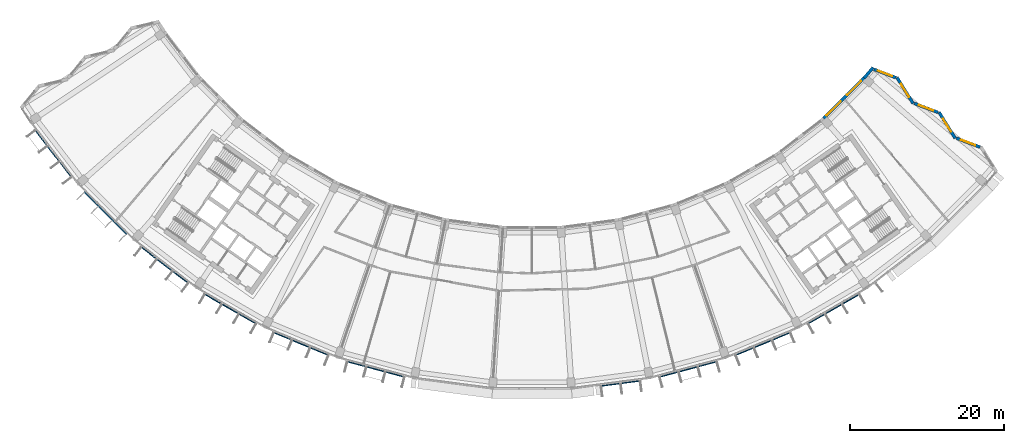
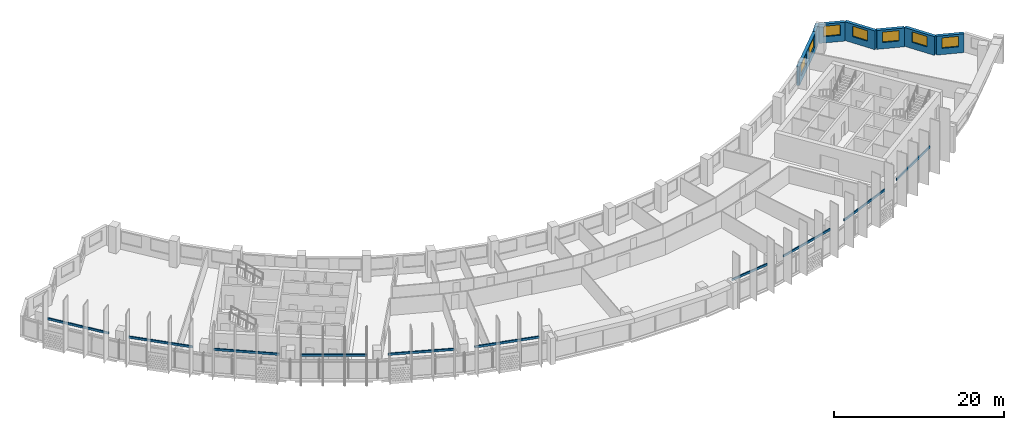
# One storey, part 8 of 28: 10 discrete accessories, 7 walls, 7 windows, 7 openings.
"""IFC4 building model written with IfcOpenShell, lengths in metres."""

from ifc_helpers import new_model, si_unit, direction, frame, frame_2d, origin, origin_2d, place, context, subcontext, project, spatial, rectangle, extrude, material, layer, layer_set, type_object, element, fill, save


model = new_model("IFC4")

# Units and contexts
model_context = context("Model", 3, precision=1e-05, world=origin(), true_north=direction((0.0, 1.0)))
body_context = subcontext(model_context, "Body", "Model", "MODEL_VIEW")
ifc_project = project(units=[si_unit("LENGTHUNIT", "METRE"), si_unit("AREAUNIT", "SQUARE_METRE"), si_unit("VOLUMEUNIT", "CUBIC_METRE"), si_unit("PLANEANGLEUNIT", "RADIAN"), si_unit("MASSUNIT", "GRAM", prefix="KILO")], contexts=[model_context])

# Site, building, storey
site_placement = place(None, origin())
site = spatial("IfcSite", under=ifc_project, at=site_placement, CompositionType="ELEMENT")
building_placement = place(site_placement, origin())
building = spatial("IfcBuilding", under=site, at=building_placement, Name="Qamariyya Broadcast Tower", CompositionType="ELEMENT")
storey_placement = place(building_placement, frame((0.0, 0.0, 218.89990234375)))
storey = spatial("IfcBuildingStorey", under=building, at=storey_placement, Name="L52", CompositionType="ELEMENT", Elevation=218.89990234375)

# Wall, opening, window
ifc_material_1 = material(Name="Terracotta", Category="masonry")
ifc_layer = layer(ifc_material_1, 0.39990234375)
ifc_layer_set = layer_set([ifc_layer], Name="Terracotta clad wall 400")
wall_type = type_object("IfcWallType", Name="Terracotta clad wall 400", PredefinedType="SOLIDWALL", material=ifc_layer_set)
wall_1_placement = place(storey_placement, frame((58.33203125, -46.968994140625, 0.0), z_axis=(0.0, 0.0, 1.0), x_axis=(-0.934682990886, 0.355482357577, 0.0)))
wall_1 = element("IfcWall", 1, at=wall_1_placement, inside=storey, type_object=wall_type, Name="e-wl-L52-capE1", PredefinedType="SOLIDWALL", context=body_context, shape_type="SweptSolid", body=[
    extrude(rectangle(XDim=3.305419921875, YDim=0.39990234375, at=frame_2d((1.65283203125, 0.0))), origin(), (0.0, 0.0, 1.0), 2.7001953125),
])
opening_1_placement = place(wall_1_placement, frame((0.652587890625, 0.0, 0.89990234375)))
opening_1 = element("IfcOpeningElement", 2, at=opening_1_placement, cuts=wall_1, Name="Opening W4", PredefinedType="OPENING", context=body_context, shape_type="SweptSolid", body=[
    extrude(rectangle(XDim=2.0, YDim=1.5, at=frame_2d((1.0, 0.75))), frame((0.0, 0.2099609375, 0.0), z_axis=(0.0, -1.0, 0.0), x_axis=(1.0, 0.0, 0.0)), (0.0, 0.0, 1.0), 0.419921875),
])
ifc_material_2 = material(Name="Clear low-e double glazed unit in aluminium frame", Category="aluminium")
window_type_1 = type_object("IfcWindowType", Name="Horn bay window 2000 x 1500", PartitioningType="SINGLE_PANEL", PredefinedType="WINDOW", material=ifc_material_2)
window_1_placement = place(opening_1_placement, origin())
window_1 = element("IfcWindow", 3, at=window_1_placement, inside=storey, type_object=window_type_1, Name="e-w-L52-capE1", OverallHeight=1.5, OverallWidth=2.0, PartitioningType="SINGLE_PANEL", PredefinedType="WINDOW", context=body_context, shape_type="SweptSolid", body=[
    extrude(rectangle(XDim=2.0, YDim=1.5, at=frame_2d((1.0, 0.75))), frame((0.0, 0.030029296875, 0.0), z_axis=(0.0, -1.0, 0.0), x_axis=(1.0, 0.0, 0.0)), (0.0, 0.0, 1.0), 0.06005859375),
])
fill(opening_1, window_1)

wall_2_placement = place(storey_placement, frame((55.103515625, -45.819091796875, 0.0), z_axis=(0.0, 0.0, 1.0), x_axis=(-0.527432793352, 0.849596756406, 0.0)))
wall_2 = element("IfcWall", 4, at=wall_2_placement, inside=storey, type_object=wall_type, Name="e-wl-L52-capE2", PredefinedType="SOLIDWALL", context=body_context, shape_type="SweptSolid", body=[
    extrude(rectangle(XDim=3.99755859375, YDim=0.39990234375, at=frame_2d((1.998779296875, 0.0))), origin(), (0.0, 0.0, 1.0), 2.7001953125),
])
opening_2_placement = place(wall_2_placement, frame((0.998779296875, 0.0, 0.89990234375)))
opening_2 = element("IfcOpeningElement", 5, at=opening_2_placement, cuts=wall_2, Name="Opening W4", PredefinedType="OPENING", context=body_context, shape_type="SweptSolid", body=[
    extrude(rectangle(XDim=2.0, YDim=1.5, at=frame_2d((1.0, 0.75))), frame((0.0, 0.2099609375, 0.0), z_axis=(0.0, -1.0, 0.0), x_axis=(1.0, 0.0, 0.0)), (0.0, 0.0, 1.0), 0.419921875),
])
window_2_placement = place(opening_2_placement, origin())
window_2 = element("IfcWindow", 6, at=window_2_placement, inside=storey, type_object=window_type_1, Name="e-w-L52-capE2", OverallHeight=1.5, OverallWidth=2.0, PartitioningType="SINGLE_PANEL", PredefinedType="WINDOW", context=body_context, shape_type="SweptSolid", body=[
    extrude(rectangle(XDim=2.0, YDim=1.5, at=frame_2d((1.0, 0.75))), frame((0.0, 0.030029296875, 0.0), z_axis=(0.0, -1.0, 0.0), x_axis=(1.0, 0.0, 0.0)), (0.0, 0.0, 1.0), 0.06005859375),
])
fill(opening_2, window_2)

wall_3_placement = place(storey_placement, frame((52.856201171875, -42.447998046875, 0.0), z_axis=(0.0, 0.0, 1.0), x_axis=(-0.934728617831, 0.355362365773, 0.0)))
wall_3 = element("IfcWall", 7, at=wall_3_placement, inside=storey, type_object=wall_type, Name="e-wl-L52-capE3", PredefinedType="SOLIDWALL", context=body_context, shape_type="SweptSolid", body=[
    extrude(rectangle(XDim=3.304443359375, YDim=0.39990234375, at=frame_2d((1.65234375, 0.0))), origin(), (0.0, 0.0, 1.0), 2.7001953125),
])
opening_3_placement = place(wall_3_placement, frame((0.652099609375, 0.0, 0.89990234375)))
opening_3 = element("IfcOpeningElement", 8, at=opening_3_placement, cuts=wall_3, Name="Opening W4", PredefinedType="OPENING", context=body_context, shape_type="SweptSolid", body=[
    extrude(rectangle(XDim=2.0, YDim=1.5, at=frame_2d((1.0, 0.75))), frame((0.0, 0.2099609375, 0.0), z_axis=(0.0, -1.0, 0.0), x_axis=(1.0, 0.0, 0.0)), (0.0, 0.0, 1.0), 0.419921875),
])
window_3_placement = place(opening_3_placement, origin())
window_3 = element("IfcWindow", 9, at=window_3_placement, inside=storey, type_object=window_type_1, Name="e-w-L52-capE3", OverallHeight=1.5, OverallWidth=2.0, PartitioningType="SINGLE_PANEL", PredefinedType="WINDOW", context=body_context, shape_type="SweptSolid", body=[
    extrude(rectangle(XDim=2.0, YDim=1.5, at=frame_2d((1.0, 0.75))), frame((0.0, 0.030029296875, 0.0), z_axis=(0.0, -1.0, 0.0), x_axis=(1.0, 0.0, 0.0)), (0.0, 0.0, 1.0), 0.06005859375),
])
fill(opening_3, window_3)

wall_4_placement = place(storey_placement, frame((49.62841796875, -41.298583984375, 0.0), z_axis=(0.0, 0.0, 1.0), x_axis=(-0.527510292462, 0.849548639777, 0.0)))
wall_4 = element("IfcWall", 10, at=wall_4_placement, inside=storey, type_object=wall_type, Name="e-wl-L52-capE4", PredefinedType="SOLIDWALL", context=body_context, shape_type="SweptSolid", body=[
    extrude(rectangle(XDim=3.998291015625, YDim=0.39990234375, at=frame_2d((1.9990234375, 0.0))), origin(), (0.0, 0.0, 1.0), 2.7001953125),
])
opening_4_placement = place(wall_4_placement, frame((0.999267578125, 0.0, 0.89990234375)))
opening_4 = element("IfcOpeningElement", 11, at=opening_4_placement, cuts=wall_4, Name="Opening W4", PredefinedType="OPENING", context=body_context, shape_type="SweptSolid", body=[
    extrude(rectangle(XDim=2.0, YDim=1.5, at=frame_2d((1.0, 0.75))), frame((0.0, 0.2099609375, 0.0), z_axis=(0.0, -1.0, 0.0), x_axis=(1.0, 0.0, 0.0)), (0.0, 0.0, 1.0), 0.419921875),
])
window_4_placement = place(opening_4_placement, origin())
window_4 = element("IfcWindow", 12, at=window_4_placement, inside=storey, type_object=window_type_1, Name="e-w-L52-capE4", OverallHeight=1.5, OverallWidth=2.0, PartitioningType="SINGLE_PANEL", PredefinedType="WINDOW", context=body_context, shape_type="SweptSolid", body=[
    extrude(rectangle(XDim=2.0, YDim=1.5, at=frame_2d((1.0, 0.75))), frame((0.0, 0.030029296875, 0.0), z_axis=(0.0, -1.0, 0.0), x_axis=(1.0, 0.0, 0.0)), (0.0, 0.0, 1.0), 0.06005859375),
])
fill(opening_4, window_4)

wall_5_placement = place(storey_placement, frame((47.380126953125, -37.9267578125, 0.0), z_axis=(0.0, 0.0, 1.0), x_axis=(-0.934771919159, 0.355248447078, 0.0)))
wall_5 = element("IfcWall", 13, at=wall_5_placement, inside=storey, type_object=wall_type, Name="e-wl-L52-capE5", PredefinedType="SOLIDWALL", context=body_context, shape_type="SweptSolid", body=[
    extrude(rectangle(XDim=3.058837890625, YDim=0.39990234375, at=frame_2d((1.529296875, 0.0))), origin(), (0.0, 0.0, 1.0), 2.7001953125),
])
opening_5_placement = place(wall_5_placement, frame((0.529541015625, 0.0, 0.89990234375)))
opening_5 = element("IfcOpeningElement", 14, at=opening_5_placement, cuts=wall_5, Name="Opening W4", PredefinedType="OPENING", context=body_context, shape_type="SweptSolid", body=[
    extrude(rectangle(XDim=2.0, YDim=1.5, at=frame_2d((1.0, 0.75))), frame((0.0, 0.2099609375, 0.0), z_axis=(0.0, -1.0, 0.0), x_axis=(1.0, 0.0, 0.0)), (0.0, 0.0, 1.0), 0.419921875),
])
window_5_placement = place(opening_5_placement, origin())
window_5 = element("IfcWindow", 15, at=window_5_placement, inside=storey, type_object=window_type_1, Name="e-w-L52-capE5", OverallHeight=1.5, OverallWidth=2.0, PartitioningType="SINGLE_PANEL", PredefinedType="WINDOW", context=body_context, shape_type="SweptSolid", body=[
    extrude(rectangle(XDim=2.0, YDim=1.5, at=frame_2d((1.0, 0.75))), frame((0.0, 0.030029296875, 0.0), z_axis=(0.0, -1.0, 0.0), x_axis=(1.0, 0.0, 0.0)), (0.0, 0.0, 1.0), 0.06005859375),
])
fill(opening_5, window_5)

# Wall, openings, windows
wall_6_placement = place(storey_placement, frame((43.243408203125, -37.970947265625, 0.0), z_axis=(0.0, 0.0, 1.0), x_axis=(-0.707106781187, -0.707106781187, 0.0)))
wall_6 = element("IfcWall", 16, at=wall_6_placement, inside=storey, type_object=wall_type, Name="e-wl-L52-in140", PredefinedType="SOLIDWALL", context=body_context, shape_type="SweptSolid", body=[
    extrude(rectangle(XDim=7.441650390625, YDim=0.39990234375, at=frame_2d((3.720703125, 0.0))), origin(), (0.0, 0.0, 1.0), 2.7001953125),
])
opening_6_placement = place(wall_6_placement, frame((4.303466796875, 0.0, 0.89990234375)))
opening_6 = element("IfcOpeningElement", 17, at=opening_6_placement, cuts=wall_6, Name="Opening W1", PredefinedType="OPENING", context=body_context, shape_type="SweptSolid", body=[
    extrude(rectangle(XDim=2.60009765625, YDim=1.64990234375, at=frame_2d((1.300048828125, 0.824951171875))), frame((0.0, 0.2099609375, 0.0), z_axis=(0.0, -1.0, 0.0), x_axis=(1.0, 0.0, 0.0)), (0.0, 0.0, 1.0), 0.419921875),
])
opening_7_placement = place(wall_6_placement, frame((0.552490234375, 0.0, 0.89990234375)))
opening_7 = element("IfcOpeningElement", 18, at=opening_7_placement, cuts=wall_6, Name="Opening W1", PredefinedType="OPENING", context=body_context, shape_type="SweptSolid", body=[
    extrude(rectangle(XDim=2.60009765625, YDim=1.64990234375, at=frame_2d((1.300048828125, 0.824951171875))), frame((0.0, 0.2099609375, 0.0), z_axis=(0.0, -1.0, 0.0), x_axis=(1.0, 0.0, 0.0)), (0.0, 0.0, 1.0), 0.419921875),
])
window_type_2 = type_object("IfcWindowType", Name="Ribbon window 2600 x 1650", PartitioningType="SINGLE_PANEL", PredefinedType="WINDOW", material=ifc_material_2)
window_6_placement = place(opening_6_placement, origin())
window_6 = element("IfcWindow", 19, at=window_6_placement, inside=storey, type_object=window_type_2, Name="e-w-L52-in14-0", OverallHeight=1.64990234375, OverallWidth=2.60009765625, PartitioningType="SINGLE_PANEL", PredefinedType="WINDOW", context=body_context, shape_type="SweptSolid", body=[
    extrude(rectangle(XDim=2.60009765625, YDim=1.64990234375, at=frame_2d((1.300048828125, 0.824951171875))), frame((0.0, 0.030029296875, 0.0), z_axis=(0.0, -1.0, 0.0), x_axis=(1.0, 0.0, 0.0)), (0.0, 0.0, 1.0), 0.06005859375),
])
fill(opening_6, window_6)
window_7_placement = place(opening_7_placement, origin())
window_7 = element("IfcWindow", 20, at=window_7_placement, inside=storey, type_object=window_type_2, Name="e-w-L52-in14-1", OverallHeight=1.64990234375, OverallWidth=2.60009765625, PartitioningType="SINGLE_PANEL", PredefinedType="WINDOW", context=body_context, shape_type="SweptSolid", body=[
    extrude(rectangle(XDim=2.60009765625, YDim=1.64990234375, at=frame_2d((1.300048828125, 0.824951171875))), frame((0.0, 0.030029296875, 0.0), z_axis=(0.0, -1.0, 0.0), x_axis=(1.0, 0.0, 0.0)), (0.0, 0.0, 1.0), 0.06005859375),
])
fill(opening_7, window_7)

# Wall
wall_7_placement = place(storey_placement, frame((44.408447265625, -36.605712890625, 0.0), z_axis=(0.0, 0.0, 1.0), x_axis=(-0.648086458622, -0.761566768019, 0.0)))
element("IfcWall", 21, at=wall_7_placement, inside=storey, type_object=wall_type, Name="e-wl-L52-in150", PredefinedType="SOLIDWALL", context=body_context, shape_type="SweptSolid", body=[
    extrude(rectangle(XDim=1.779296875, YDim=0.39990234375, at=frame_2d((0.8896484375, 0.0))), origin(), (0.0, 0.0, 1.0), 2.7001953125),
])

# Discrete accessories
ifc_material_3 = material(Name="Stainless steel 316", Category="steel")
discrete_accessory_type = type_object("IfcDiscreteAccessoryType", Name="Slab edge fixing angle, stainless steel", PredefinedType="BRACKET", material=ifc_material_3)
for number, where, z_axis, x_axis, name in (
    (22, (-62.3232421875, -47.822265625, 3.30029296875), (0.0, 0.0, 1.0), (0.608761429009, -0.793353340291, 0.0), "e-br-L52-01-0"),
    (23, (-55.5478515625, -55.5478515625, 3.30029296875), (0.0, 0.0, 1.0), (0.707106781187, -0.707106781187, 0.0), "e-br-L52-02-0"),
    (24, (-47.822265625, -62.3232421875, 3.30029296875), (0.0, 0.0, 1.0), (0.793353340291, -0.608761429009, 0.0), "e-br-L52-03-0"),
    (25, (-39.2783203125, -68.031982421875, 3.30029296875), (0.0, 0.0, 1.0), (0.866025403784, -0.5, 0.0), "e-br-L52-04-0"),
    (26, (-30.062255859375, -72.576904296875, 3.30029296875), (0.0, 0.0, 1.0), (0.923879532511, -0.382683432365, 0.0), "e-br-L52-05-0"),
    (27, (-20.33203125, -75.8798828125, 3.30029296875), (0.0, 0.0, 1.0), (0.965925826289, -0.258819045103, 0.0), "e-br-L52-06-0"),
):
    element("IfcDiscreteAccessory", number, at=place(storey_placement, frame(where, z_axis=z_axis, x_axis=x_axis)), inside=storey, type_object=discrete_accessory_type, Name=name, PredefinedType="BRACKET", context=body_context, shape_type="SweptSolid", body=[
        extrude(rectangle(XDim=7.81591796875, YDim=0.14990234375, at=origin_2d()), origin(), (0.0, 0.0, 1.0), 0.300048828125),
    ])
discrete_accessory_placement = place(storey_placement, frame((11.528564453125, -77.716796875, 3.30029296875), z_axis=(0.0, 0.0, 1.0), x_axis=(0.991444861374, 0.13052619222, 0.0)))
element("IfcDiscreteAccessory", 28, at=discrete_accessory_placement, inside=storey, type_object=discrete_accessory_type, Name="e-br-L52-09-0", PredefinedType="BRACKET", context=body_context, shape_type="SweptSolid", body=[
    extrude(rectangle(XDim=5.243896484375, YDim=0.14990234375, at=origin_2d()), origin(), (0.0, 0.0, 1.0), 0.300048828125),
])
for number, where, z_axis, x_axis, name in (
    (29, (20.33203125, -75.8798828125, 3.30029296875), (0.0, 0.0, 1.0), (0.965925826289, 0.258819045103, 0.0), "e-br-L52-10-0"),
    (30, (30.062255859375, -72.576904296875, 3.30029296875), (0.0, 0.0, 1.0), (0.923879532511, 0.382683432365, 0.0), "e-br-L52-11-0"),
    (31, (39.2783203125, -68.031982421875, 3.30029296875), (0.0, 0.0, 1.0), (0.866025403784, 0.5, 0.0), "e-br-L52-12-0"),
):
    element("IfcDiscreteAccessory", number, at=place(storey_placement, frame(where, z_axis=z_axis, x_axis=x_axis)), inside=storey, type_object=discrete_accessory_type, Name=name, PredefinedType="BRACKET", context=body_context, shape_type="SweptSolid", body=[
        extrude(rectangle(XDim=7.81591796875, YDim=0.14990234375, at=origin_2d()), origin(), (0.0, 0.0, 1.0), 0.300048828125),
    ])

save(model, "model.ifc")
